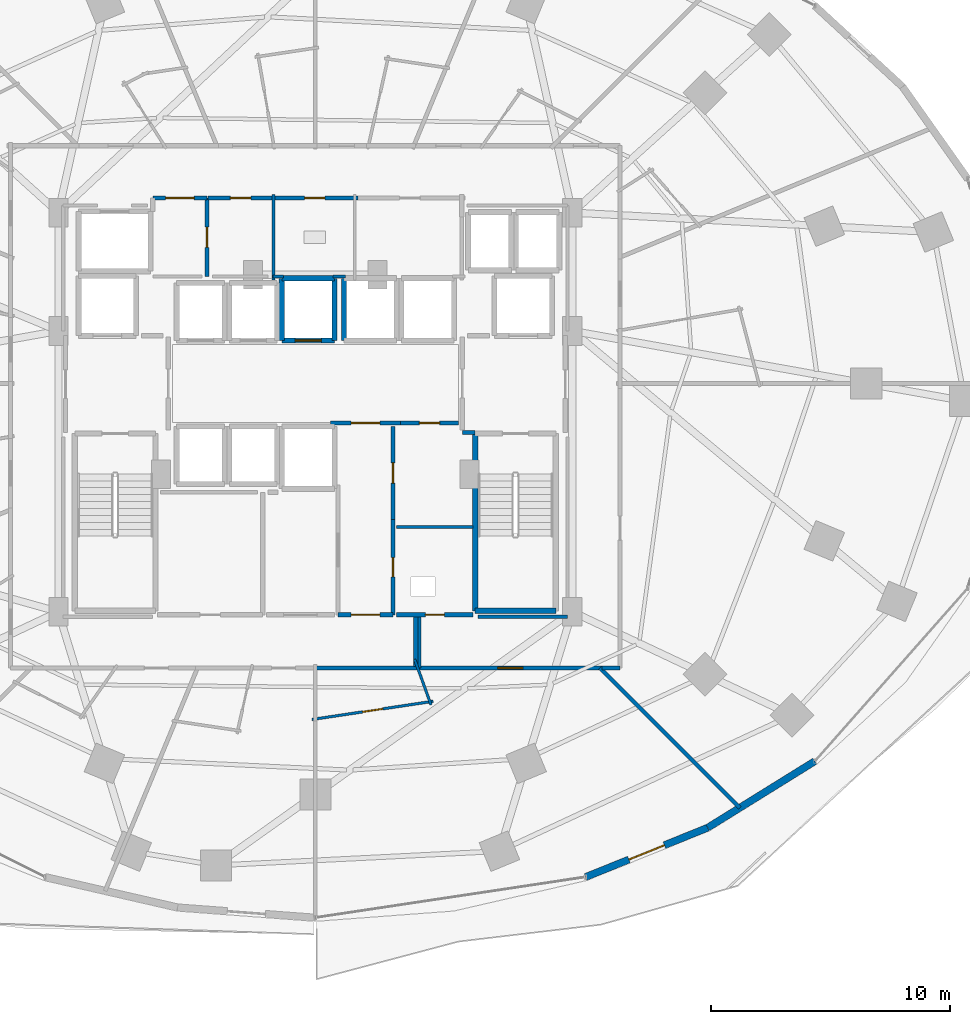
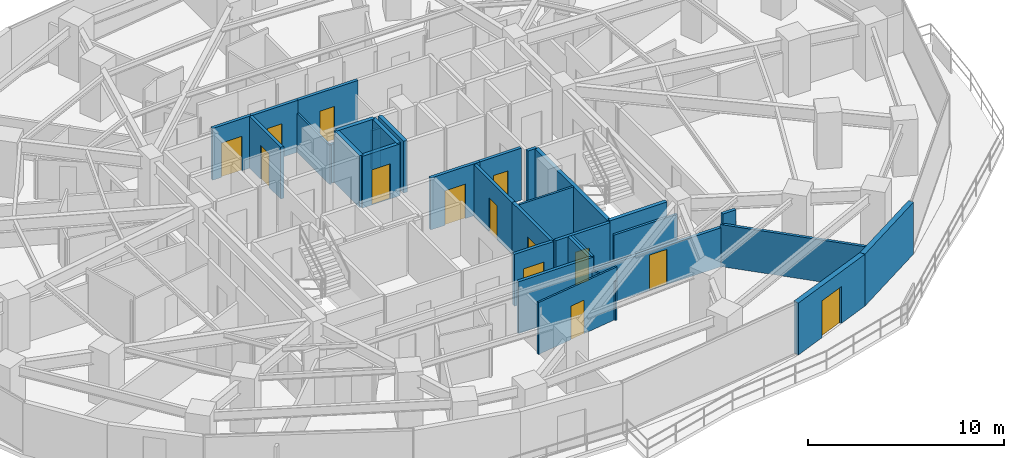
# One storey, part 29 of 36: 33 walls, 14 doors, 14 openings.
"""IFC4 building model written with IfcOpenShell, lengths in metres."""

from ifc_helpers import new_model, si_unit, direction, frame, frame_2d, origin, place, context, subcontext, project, spatial, rectangle, extrude, material, layer, layer_set, type_object, element, fill, save


model = new_model("IFC4")

# Units and contexts
model_context = context("Model", 3, precision=1e-05, world=origin(), true_north=direction((0.0, 1.0)))
body_context = subcontext(model_context, "Body", "Model", "MODEL_VIEW")
ifc_project = project(units=[si_unit("LENGTHUNIT", "METRE"), si_unit("AREAUNIT", "SQUARE_METRE"), si_unit("VOLUMEUNIT", "CUBIC_METRE"), si_unit("PLANEANGLEUNIT", "RADIAN"), si_unit("MASSUNIT", "GRAM", prefix="KILO")], contexts=[model_context])

# Site, building, storey
site_placement = place(None, origin())
site = spatial("IfcSite", under=ifc_project, at=site_placement, CompositionType="ELEMENT")
building_placement = place(site_placement, origin())
building = spatial("IfcBuilding", under=site, at=building_placement, Name="Vorneva Point Tower", CompositionType="ELEMENT")
storey_placement = place(building_placement, frame((0.0, 0.0, 24.0)))
storey = spatial("IfcBuildingStorey", under=building, at=storey_placement, Name="L05", CompositionType="ELEMENT", Elevation=24.0)

# Wall, opening, door
ifc_material_1 = material(Name="Precast concrete B50 (C40/50)", Category="concrete")
ifc_layer_1 = layer(ifc_material_1, 0.300048828125)
ifc_layer_set_1 = layer_set([ifc_layer_1], Name="Precast concrete B50 (C40/50)")
wall_type_1 = type_object("IfcWallType", Name="WL-EXT-300", PredefinedType="STANDARD", material=ifc_layer_set_1)
wall_1_placement = place(storey_placement, frame((49.308349609375, 5.351318359375, 0.0), z_axis=(0.0, 0.0, 1.0), x_axis=(0.927095325176, 0.374825636845, 0.0)))
wall_1 = element("IfcWall", 1, at=wall_1_placement, inside=storey, type_object=wall_type_1, Name="L05 Pale-Metal Facade Spandrel Wall 14.1", PredefinedType="STANDARD", context=body_context, shape_type="SweptSolid", body=[
    extrude(rectangle(XDim=5.51025390625, YDim=0.300048828125, at=frame_2d((2.755126953125, 0.0))), origin(), (0.0, 0.0, 1.0), 3.239990234375),
])
opening_1_placement = place(wall_1_placement, frame((1.955322265625, 0.0, 0.0)))
opening_1 = element("IfcOpeningElement", 2, at=opening_1_placement, cuts=wall_1, Name="Opening BD-01", PredefinedType="OPENING", context=body_context, shape_type="SweptSolid", body=[
    extrude(rectangle(XDim=1.60009765625, YDim=2.300048828125, at=frame_2d((0.800048828125, 1.14990234375))), frame((0.0, 0.1650390625, 0.0), z_axis=(0.0, -1.0, 0.0), x_axis=(1.0, 0.0, 0.0)), (0.0, 0.0, 1.0), 0.329833984375),
])
ifc_material_2 = material(Name="Pale anodised aluminium", Category="aluminium")
door_type_1 = type_object("IfcDoorType", Name="DR-BAL-1600", OperationType="SLIDING_TO_LEFT", PredefinedType="DOOR", material=ifc_material_2)
door_1_placement = place(opening_1_placement, origin())
door_1 = element("IfcDoor", 3, at=door_1_placement, inside=storey, type_object=door_type_1, Name="L05 Balcony Terrace Access Door 14", OperationType="SLIDING_TO_LEFT", OverallHeight=2.300048828125, OverallWidth=1.60009765625, PredefinedType="DOOR", context=body_context, shape_type="SweptSolid", body=[
    extrude(rectangle(XDim=1.60009765625, YDim=2.300048828125, at=frame_2d((0.800048828125, 1.14990234375))), frame((0.0, 0.02490234375, 0.0), z_axis=(0.0, -1.0, 0.0), x_axis=(1.0, 0.0, 0.0)), (0.0, 0.0, 1.0), 0.050048828125),
])
fill(opening_1, door_1)

# Walls
wall_2_placement = place(storey_placement, frame((54.4169921875, 7.416748046875, 0.0), z_axis=(0.0, 0.0, 1.0), x_axis=(0.849633724826, 0.527373239404, 0.0)))
element("IfcWall", 4, at=wall_2_placement, inside=storey, type_object=wall_type_1, Name="L05 Pale-Metal Facade Spandrel Wall 14.2", PredefinedType="STANDARD", context=body_context, shape_type="SweptSolid", body=[
    extrude(rectangle(XDim=5.2705078125, YDim=0.300048828125, at=frame_2d((2.63525390625, 0.0))), origin(), (0.0, 0.0, 1.0), 3.239990234375),
])
ifc_material_3 = material(Name="Fire-rated acoustic gypsum stud partition", Category="gypsum")
ifc_layer_2 = layer(ifc_material_3, 0.110107421875)
ifc_layer_set_2 = layer_set([ifc_layer_2], Name="Fire-rated acoustic gypsum stud partition")
wall_type_2 = type_object("IfcWallType", Name="WL-PART-110", PredefinedType="PARTITIONING", material=ifc_layer_set_2)
wall_3_placement = place(storey_placement, frame((36.25, 30.340087890625, 0.0), z_axis=(0.0, 0.0, 1.0), x_axis=(0.0, 1.0, 0.0)))
element("IfcWall", 5, at=wall_3_placement, inside=storey, type_object=wall_type_2, Name="L05 Interior Partition 017", PredefinedType="PARTITIONING", context=body_context, shape_type="SweptSolid", body=[
    extrude(rectangle(XDim=3.559814453125, YDim=0.110107421875, at=frame_2d((1.77978515625, 0.0))), origin(), (0.0, 0.0, 1.0), 2.431884765625),
])

# Wall, opening, door
wall_4_placement = place(storey_placement, frame((42.932373046875, 12.705810546875, 0.0), z_axis=(0.0, 0.0, 1.0), x_axis=(-0.988876905643, -0.148736227888, 0.0)))
wall_4 = element("IfcWall", 6, at=wall_4_placement, inside=storey, type_object=wall_type_2, Name="L05 Interior Partition 106", PredefinedType="PARTITIONING", context=body_context, shape_type="SweptSolid", body=[
    extrude(rectangle(XDim=5.1279296875, YDim=0.110107421875, at=frame_2d((2.56396484375, 0.0))), origin(), (0.0, 0.0, 1.0), 3.239990234375),
])
opening_2_placement = place(wall_4_placement, frame((2.138916015625, 0.0, 0.0)))
opening_2 = element("IfcOpeningElement", 7, at=opening_2_placement, cuts=wall_4, Name="Opening ID-02", PredefinedType="OPENING", context=body_context, shape_type="SweptSolid", body=[
    extrude(rectangle(XDim=0.85009765625, YDim=2.10009765625, at=frame_2d((0.425048828125, 1.050048828125))), frame((0.0, 0.06982421875, 0.0), z_axis=(0.0, -1.0, 0.0), x_axis=(1.0, 0.0, 0.0)), (0.0, 0.0, 1.0), 0.139892578125),
])
ifc_material_4 = material(Name="Engineered oak fire-rated door leaf", Category="wood")
door_type_2 = type_object("IfcDoorType", Name="DR-BATH-850", OperationType="NOTDEFINED", PredefinedType="DOOR", material=ifc_material_4)
door_2_placement = place(opening_2_placement, origin())
door_2 = element("IfcDoor", 8, at=door_2_placement, inside=storey, type_object=door_type_2, Name="L05 Door Junior Suite L05-13 / En-Suite Bathroom L05-13", OperationType="SINGLE_SWING_LEFT", OverallHeight=2.10009765625, OverallWidth=0.85009765625, PredefinedType="DOOR", context=body_context, shape_type="SweptSolid", body=[
    extrude(rectangle(XDim=0.85009765625, YDim=2.10009765625, at=frame_2d((0.425048828125, 1.050048828125))), frame((0.0, 0.02490234375, 0.0), z_axis=(0.0, -1.0, 0.0), x_axis=(1.0, 0.0, 0.0)), (0.0, 0.0, 1.0), 0.050048828125),
])
fill(opening_2, door_2)

# Walls
wall_5_placement = place(storey_placement, frame((42.152587890625, 14.4658203125, 0.0), z_axis=(0.0, 0.0, 1.0), x_axis=(0.338800270412, -0.940858319179, 0.0)))
element("IfcWall", 9, at=wall_5_placement, inside=storey, type_object=wall_type_2, Name="L05 Interior Partition 107", PredefinedType="PARTITIONING", context=body_context, shape_type="SweptSolid", body=[
    extrude(rectangle(XDim=2.03271484375, YDim=0.110107421875, at=frame_2d((1.016357421875, 0.0))), origin(), (0.0, 0.0, 1.0), 2.431884765625),
])
ifc_layer_3 = layer(ifc_material_3, 0.125)
ifc_layer_set_3 = layer_set([ifc_layer_3], Name="Fire-rated acoustic gypsum stud partition")
wall_type_3 = type_object("IfcWallType", Name="WL-PART-125", PredefinedType="PARTITIONING", material=ifc_layer_set_3)
wall_6_placement = place(storey_placement, frame((44.60009765625, 20.0, 0.0), z_axis=(0.0, 0.0, 1.0), x_axis=(-1.0, 0.0, 0.0)))
element("IfcWall", 10, at=wall_6_placement, inside=storey, type_object=wall_type_3, Name="L05 Interior Partition 015", PredefinedType="PARTITIONING", context=body_context, shape_type="SweptSolid", body=[
    extrude(rectangle(XDim=3.2001953125, YDim=0.125, at=frame_2d((1.60009765625, 0.0))), origin(), (0.0, 0.0, 1.0), 3.239990234375),
])
ifc_layer_4 = layer(ifc_material_3, 0.139892578125)
ifc_layer_set_4 = layer_set([ifc_layer_4], Name="Fire-rated acoustic gypsum stud partition")
wall_type_4 = type_object("IfcWallType", Name="WL-PART-140", PredefinedType="PARTITIONING", material=ifc_layer_set_4)
wall_7_placement = place(storey_placement, frame((36.219970703125, 30.47998046875, 0.0), z_axis=(0.0, 0.0, 1.0), x_axis=(1.0, 0.0, 0.0)))
element("IfcWall", 11, at=wall_7_placement, inside=storey, type_object=wall_type_4, Name="L05 Interior Closure Partition 113", PredefinedType="PARTITIONING", context=body_context, shape_type="SweptSolid", body=[
    extrude(rectangle(XDim=0.445068359375, YDim=0.139892578125, at=frame_2d((0.22265625, 0.0))), origin(), (0.0, 0.0, 1.0), 2.431884765625),
])
wall_8_placement = place(storey_placement, frame((38.735107421875, 30.47998046875, 0.0), z_axis=(0.0, 0.0, 1.0), x_axis=(1.0, 0.0, 0.0)))
element("IfcWall", 12, at=wall_8_placement, inside=storey, type_object=wall_type_4, Name="L05 Interior Closure Partition 114", PredefinedType="PARTITIONING", context=body_context, shape_type="SweptSolid", body=[
    extrude(rectangle(XDim=0.52978515625, YDim=0.139892578125, at=frame_2d((0.264892578125, 0.0))), origin(), (0.0, 0.0, 1.0), 2.431884765625),
])
wall_9_placement = place(storey_placement, frame((48.550048828125, 16.239990234375, 0.0), z_axis=(0.0, 0.0, 1.0), x_axis=(-1.0, 0.0, 0.0)))
element("IfcWall", 13, at=wall_9_placement, inside=storey, type_object=wall_type_4, Name="L05 Interior Closure Partition 122", PredefinedType="PARTITIONING", context=body_context, shape_type="SweptSolid", body=[
    extrude(rectangle(XDim=3.7451171875, YDim=0.139892578125, at=frame_2d((1.87255859375, 0.0))), origin(), (0.0, 0.0, 1.0), 2.431884765625),
])
ifc_layer_5 = layer(ifc_material_3, 0.159912109375)
ifc_layer_set_5 = layer_set([ifc_layer_5], Name="Fire-rated acoustic gypsum stud partition")
wall_type_5 = type_object("IfcWallType", Name="WL-PART-160", PredefinedType="PARTITIONING", material=ifc_layer_set_5)
wall_10_placement = place(storey_placement, frame((55.7529296875, 8.2470703125, 0.0), z_axis=(0.0, 0.0, 1.0), x_axis=(-0.707106781187, 0.707106781187, 0.0)))
element("IfcWall", 14, at=wall_10_placement, inside=storey, type_object=wall_type_5, Name="L05 Interior Partition 108", PredefinedType="PARTITIONING", context=body_context, shape_type="SweptSolid", body=[
    extrude(rectangle(XDim=8.27734375, YDim=0.159912109375, at=frame_2d((4.138671875, 0.0))), origin(), (0.0, 0.0, 1.0), 2.6240234375),
])
ifc_material_5 = material(Name="Autoclaved aerated concrete blockwork", Category="masonry")
ifc_layer_6 = layer(ifc_material_5, 0.179931640625)
ifc_layer_set_6 = layer_set([ifc_layer_6], Name="Autoclaved aerated concrete blockwork")
wall_type_6 = type_object("IfcWallType", Name="WL-PART-180", PredefinedType="PARTITIONING", material=ifc_layer_set_6)
wall_11_placement = place(storey_placement, frame((44.14990234375, 23.949951171875, 0.0), z_axis=(0.0, 0.0, 1.0), x_axis=(1.0, 0.0, 0.0)))
element("IfcWall", 15, at=wall_11_placement, inside=storey, type_object=wall_type_6, Name="L05 Interior Partition 004", PredefinedType="PARTITIONING", context=body_context, shape_type="SweptSolid", body=[
    extrude(rectangle(XDim=0.5400390625, YDim=0.179931640625, at=frame_2d((0.27001953125, 0.0))), origin(), (0.0, 0.0, 1.0), 3.239990234375),
])

# Wall, opening, door
wall_12_placement = place(storey_placement, frame((33.469970703125, 30.47998046875, 0.0), z_axis=(0.0, 0.0, 1.0), x_axis=(0.0, 1.0, 0.0)))
wall_12 = element("IfcWall", 16, at=wall_12_placement, inside=storey, type_object=wall_type_6, Name="L05 Interior Partition 006", PredefinedType="PARTITIONING", context=body_context, shape_type="SweptSolid", body=[
    extrude(rectangle(XDim=3.280029296875, YDim=0.179931640625, at=frame_2d((1.64013671875, 0.0))), origin(), (0.0, 0.0, 1.0), 3.239990234375),
])
opening_3_placement = place(wall_12_placement, frame((1.215087890625, 0.0, 0.0)))
opening_3 = element("IfcOpeningElement", 17, at=opening_3_placement, cuts=wall_12, Name="Opening ID-02", PredefinedType="OPENING", context=body_context, shape_type="SweptSolid", body=[
    extrude(rectangle(XDim=0.85009765625, YDim=2.10009765625, at=frame_2d((0.425048828125, 1.050048828125))), frame((0.0, 0.10498046875, 0.0), z_axis=(0.0, -1.0, 0.0), x_axis=(1.0, 0.0, 0.0)), (0.0, 0.0, 1.0), 0.209716796875),
])
door_3_placement = place(opening_3_placement, origin())
door_3 = element("IfcDoor", 18, at=door_3_placement, inside=storey, type_object=door_type_2, Name="L05 Door Service Lift Lobby / Core Supply Store", OperationType="SINGLE_SWING_LEFT", OverallHeight=2.10009765625, OverallWidth=0.85009765625, PredefinedType="DOOR", context=body_context, shape_type="SweptSolid", body=[
    extrude(rectangle(XDim=0.85009765625, YDim=2.10009765625, at=frame_2d((0.425048828125, 1.050048828125))), frame((0.0, 0.02490234375, 0.0), z_axis=(0.0, -1.0, 0.0), x_axis=(1.0, 0.0, 0.0)), (0.0, 0.0, 1.0), 0.050048828125),
])
fill(opening_3, door_3)

wall_13_placement = place(storey_placement, frame((33.469970703125, 33.760009765625, 0.0), z_axis=(0.0, 0.0, 1.0), x_axis=(-1.0, 0.0, 0.0)))
wall_13 = element("IfcWall", 19, at=wall_13_placement, inside=storey, type_object=wall_type_6, Name="L05 Interior Partition 007", PredefinedType="PARTITIONING", context=body_context, shape_type="SweptSolid", body=[
    extrude(rectangle(XDim=2.27001953125, YDim=0.179931640625, at=frame_2d((1.135009765625, 0.0))), origin(), (0.0, 0.0, 1.0), 3.239990234375),
])
opening_4_placement = place(wall_13_placement, frame((0.534912109375, 0.0, 0.0)))
opening_4 = element("IfcOpeningElement", 20, at=opening_4_placement, cuts=wall_13, Name="Opening FD-02", PredefinedType="OPENING", context=body_context, shape_type="SweptSolid", body=[
    extrude(rectangle(XDim=1.199951171875, YDim=2.14990234375, at=frame_2d((0.60009765625, 1.074951171875))), frame((0.0, 0.10498046875, 0.0), z_axis=(0.0, -1.0, 0.0), x_axis=(1.0, 0.0, 0.0)), (0.0, 0.0, 1.0), 0.209716796875),
])
ifc_material_6 = material(Name="Fire-rated powder-coated steel", Category="steel")
door_type_3 = type_object("IfcDoorType", Name="DR-FFL-1200", OperationType="NOTDEFINED", PredefinedType="DOOR", material=ifc_material_6)
door_4_placement = place(opening_4_placement, origin())
door_4 = element("IfcDoor", 21, at=door_4_placement, inside=storey, type_object=door_type_3, Name="L05 Door Service Lift Lobby / L05 Circulation Corridor", OperationType="SINGLE_SWING_RIGHT", OverallHeight=2.14990234375, OverallWidth=1.199951171875, PredefinedType="DOOR", context=body_context, shape_type="SweptSolid", body=[
    extrude(rectangle(XDim=1.199951171875, YDim=2.14990234375, at=frame_2d((0.60009765625, 1.074951171875))), frame((0.0, 0.02490234375, 0.0), z_axis=(0.0, -1.0, 0.0), x_axis=(1.0, 0.0, 0.0)), (0.0, 0.0, 1.0), 0.050048828125),
])
fill(opening_4, door_4)

wall_14_placement = place(storey_placement, frame((38.64501953125, 24.35009765625, 0.0), z_axis=(0.0, 0.0, 1.0), x_axis=(1.0, 0.0, 0.0)))
wall_14 = element("IfcWall", 22, at=wall_14_placement, inside=storey, type_object=wall_type_6, Name="L05 Interior Partition 009", PredefinedType="PARTITIONING", context=body_context, shape_type="SweptSolid", body=[
    extrude(rectangle(XDim=2.909912109375, YDim=0.179931640625, at=frame_2d((1.455078125, 0.0))), origin(), (0.0, 0.0, 1.0), 3.239990234375),
])
opening_5_placement = place(wall_14_placement, frame((0.85498046875, 0.0, 0.0)))
opening_5 = element("IfcOpeningElement", 23, at=opening_5_placement, cuts=wall_14, Name="Opening FD-02", PredefinedType="OPENING", context=body_context, shape_type="SweptSolid", body=[
    extrude(rectangle(XDim=1.199951171875, YDim=2.14990234375, at=frame_2d((0.60009765625, 1.074951171875))), frame((0.0, 0.10498046875, 0.0), z_axis=(0.0, -1.0, 0.0), x_axis=(1.0, 0.0, 0.0)), (0.0, 0.0, 1.0), 0.209716796875),
])
door_5_placement = place(opening_5_placement, origin())
door_5 = element("IfcDoor", 24, at=door_5_placement, inside=storey, type_object=door_type_3, Name="L05 Door Central Lift Lobby / Core Service Lobby", OperationType="SINGLE_SWING_LEFT", OverallHeight=2.14990234375, OverallWidth=1.199951171875, PredefinedType="DOOR", context=body_context, shape_type="SweptSolid", body=[
    extrude(rectangle(XDim=1.199951171875, YDim=2.14990234375, at=frame_2d((0.60009765625, 1.074951171875))), frame((0.0, 0.02490234375, 0.0), z_axis=(0.0, -1.0, 0.0), x_axis=(1.0, 0.0, 0.0)), (0.0, 0.0, 1.0), 0.050048828125),
])
fill(opening_5, door_5)

wall_15_placement = place(storey_placement, frame((41.554931640625, 24.35009765625, 0.0), z_axis=(0.0, 0.0, 1.0), x_axis=(1.0, 0.0, 0.0)))
wall_15 = element("IfcWall", 25, at=wall_15_placement, inside=storey, type_object=wall_type_6, Name="L05 Interior Partition 010", PredefinedType="PARTITIONING", context=body_context, shape_type="SweptSolid", body=[
    extrude(rectangle(XDim=2.445068359375, YDim=0.179931640625, at=frame_2d((1.22265625, 0.0))), origin(), (0.0, 0.0, 1.0), 3.239990234375),
])
opening_6_placement = place(wall_15_placement, frame((0.797607421875, 0.0, 0.0)))
opening_6 = element("IfcOpeningElement", 26, at=opening_6_placement, cuts=wall_15, Name="Opening ID-02", PredefinedType="OPENING", context=body_context, shape_type="SweptSolid", body=[
    extrude(rectangle(XDim=0.85009765625, YDim=2.10009765625, at=frame_2d((0.425048828125, 1.050048828125))), frame((0.0, 0.10498046875, 0.0), z_axis=(0.0, -1.0, 0.0), x_axis=(1.0, 0.0, 0.0)), (0.0, 0.0, 1.0), 0.209716796875),
])
door_6_placement = place(opening_6_placement, origin())
door_6 = element("IfcDoor", 27, at=door_6_placement, inside=storey, type_object=door_type_2, Name="L05 Door Central Lift Lobby / Valet and Parcel Room", OperationType="SINGLE_SWING_RIGHT", OverallHeight=2.10009765625, OverallWidth=0.85009765625, PredefinedType="DOOR", context=body_context, shape_type="SweptSolid", body=[
    extrude(rectangle(XDim=0.85009765625, YDim=2.10009765625, at=frame_2d((0.425048828125, 1.050048828125))), frame((0.0, 0.02490234375, 0.0), z_axis=(0.0, -1.0, 0.0), x_axis=(1.0, 0.0, 0.0)), (0.0, 0.0, 1.0), 0.050048828125),
])
fill(opening_6, door_6)

wall_16_placement = place(storey_placement, frame((41.25, 16.320068359375, 0.0), z_axis=(0.0, 0.0, 1.0), x_axis=(0.0, 1.0, 0.0)))
wall_16 = element("IfcWall", 28, at=wall_16_placement, inside=storey, type_object=wall_type_6, Name="L05 Interior Partition 011", PredefinedType="PARTITIONING", context=body_context, shape_type="SweptSolid", body=[
    extrude(rectangle(XDim=3.98486328125, YDim=0.179931640625, at=frame_2d((1.992431640625, 0.0))), origin(), (0.0, 0.0, 1.0), 3.239990234375),
])
opening_7_placement = place(wall_16_placement, frame((1.592529296875, 0.0, 0.0)))
opening_7 = element("IfcOpeningElement", 29, at=opening_7_placement, cuts=wall_16, Name="Opening RD-01", PredefinedType="OPENING", context=body_context, shape_type="SweptSolid", body=[
    extrude(rectangle(XDim=0.800048828125, YDim=2.050048828125, at=frame_2d((0.39990234375, 1.02490234375))), frame((0.0, 0.10498046875, 0.0), z_axis=(0.0, -1.0, 0.0), x_axis=(1.0, 0.0, 0.0)), (0.0, 0.0, 1.0), 0.209716796875),
])
door_type_4 = type_object("IfcDoorType", Name="DR-RSR-800", OperationType="SINGLE_SWING_LEFT", PredefinedType="DOOR", material=ifc_material_6)
door_7_placement = place(opening_7_placement, origin())
door_7 = element("IfcDoor", 30, at=door_7_placement, inside=storey, type_object=door_type_4, Name="L05 Door Core Service Lobby / Electrical Riser", OperationType="SINGLE_SWING_LEFT", OverallHeight=2.050048828125, OverallWidth=0.800048828125, PredefinedType="DOOR", context=body_context, shape_type="SweptSolid", body=[
    extrude(rectangle(XDim=0.800048828125, YDim=2.050048828125, at=frame_2d((0.39990234375, 1.02490234375))), frame((0.0, 0.02490234375, 0.0), z_axis=(0.0, -1.0, 0.0), x_axis=(1.0, 0.0, 0.0)), (0.0, 0.0, 1.0), 0.050048828125),
])
fill(opening_7, door_7)

wall_17_placement = place(storey_placement, frame((41.25, 20.304931640625, 0.0), z_axis=(0.0, 0.0, 1.0), x_axis=(0.0, 1.0, 0.0)))
wall_17 = element("IfcWall", 31, at=wall_17_placement, inside=storey, type_object=wall_type_6, Name="L05 Interior Partition 012", PredefinedType="PARTITIONING", context=body_context, shape_type="SweptSolid", body=[
    extrude(rectangle(XDim=3.89501953125, YDim=0.179931640625, at=frame_2d((1.947509765625, 0.0))), origin(), (0.0, 0.0, 1.0), 3.239990234375),
])
opening_8_placement = place(wall_17_placement, frame((1.5224609375, 0.0, 0.0)))
opening_8 = element("IfcOpeningElement", 32, at=opening_8_placement, cuts=wall_17, Name="Opening ID-02", PredefinedType="OPENING", context=body_context, shape_type="SweptSolid", body=[
    extrude(rectangle(XDim=0.85009765625, YDim=2.10009765625, at=frame_2d((0.425048828125, 1.050048828125))), frame((0.0, 0.10498046875, 0.0), z_axis=(0.0, -1.0, 0.0), x_axis=(1.0, 0.0, 0.0)), (0.0, 0.0, 1.0), 0.209716796875),
])
door_8_placement = place(opening_8_placement, origin())
door_8 = element("IfcDoor", 33, at=door_8_placement, inside=storey, type_object=door_type_2, Name="L05 Door Core Service Lobby / Valet and Parcel Room", OperationType="SINGLE_SWING_RIGHT", OverallHeight=2.10009765625, OverallWidth=0.85009765625, PredefinedType="DOOR", context=body_context, shape_type="SweptSolid", body=[
    extrude(rectangle(XDim=0.85009765625, YDim=2.10009765625, at=frame_2d((0.425048828125, 1.050048828125))), frame((0.0, 0.02490234375, 0.0), z_axis=(0.0, -1.0, 0.0), x_axis=(1.0, 0.0, 0.0)), (0.0, 0.0, 1.0), 0.050048828125),
])
fill(opening_8, door_8)

wall_18_placement = place(storey_placement, frame((38.949951171875, 16.320068359375, 0.0), z_axis=(0.0, 0.0, 1.0), x_axis=(1.0, 0.0, 0.0)))
wall_18 = element("IfcWall", 34, at=wall_18_placement, inside=storey, type_object=wall_type_6, Name="L05 Interior Partition 014", PredefinedType="PARTITIONING", context=body_context, shape_type="SweptSolid", body=[
    extrude(rectangle(XDim=2.300048828125, YDim=0.179931640625, at=frame_2d((1.14990234375, 0.0))), origin(), (0.0, 0.0, 1.0), 3.239990234375),
])
opening_9_placement = place(wall_18_placement, frame((0.550048828125, 0.0, 0.0)))
opening_9 = element("IfcOpeningElement", 35, at=opening_9_placement, cuts=wall_18, Name="Opening FD-02", PredefinedType="OPENING", context=body_context, shape_type="SweptSolid", body=[
    extrude(rectangle(XDim=1.199951171875, YDim=2.14990234375, at=frame_2d((0.60009765625, 1.074951171875))), frame((0.0, 0.10498046875, 0.0), z_axis=(0.0, -1.0, 0.0), x_axis=(1.0, 0.0, 0.0)), (0.0, 0.0, 1.0), 0.209716796875),
])
door_9_placement = place(opening_9_placement, origin())
door_9 = element("IfcDoor", 36, at=door_9_placement, inside=storey, type_object=door_type_3, Name="L05 Door Core Service Lobby / L05 Circulation Corridor", OperationType="SINGLE_SWING_RIGHT", OverallHeight=2.14990234375, OverallWidth=1.199951171875, PredefinedType="DOOR", context=body_context, shape_type="SweptSolid", body=[
    extrude(rectangle(XDim=1.199951171875, YDim=2.14990234375, at=frame_2d((0.60009765625, 1.074951171875))), frame((0.0, 0.02490234375, 0.0), z_axis=(0.0, -1.0, 0.0), x_axis=(1.0, 0.0, 0.0)), (0.0, 0.0, 1.0), 0.050048828125),
])
fill(opening_9, door_9)

wall_19_placement = place(storey_placement, frame((41.39990234375, 16.320068359375, 0.0), z_axis=(0.0, 0.0, 1.0), x_axis=(1.0, 0.0, 0.0)))
wall_19 = element("IfcWall", 37, at=wall_19_placement, inside=storey, type_object=wall_type_6, Name="L05 Interior Partition 016", PredefinedType="PARTITIONING", context=body_context, shape_type="SweptSolid", body=[
    extrude(rectangle(XDim=3.2001953125, YDim=0.179931640625, at=frame_2d((1.60009765625, 0.0))), origin(), (0.0, 0.0, 1.0), 3.239990234375),
])
opening_10_placement = place(wall_19_placement, frame((1.199951171875, 0.0, 0.0)))
opening_10 = element("IfcOpeningElement", 38, at=opening_10_placement, cuts=wall_19, Name="Opening RD-01", PredefinedType="OPENING", context=body_context, shape_type="SweptSolid", body=[
    extrude(rectangle(XDim=0.800048828125, YDim=2.050048828125, at=frame_2d((0.39990234375, 1.02490234375))), frame((0.0, 0.10498046875, 0.0), z_axis=(0.0, -1.0, 0.0), x_axis=(1.0, 0.0, 0.0)), (0.0, 0.0, 1.0), 0.209716796875),
])
door_10_placement = place(opening_10_placement, origin())
door_10 = element("IfcDoor", 39, at=door_10_placement, inside=storey, type_object=door_type_4, Name="L05 Door Electrical Riser / L05 Circulation Corridor", OperationType="SINGLE_SWING_LEFT", OverallHeight=2.050048828125, OverallWidth=0.800048828125, PredefinedType="DOOR", context=body_context, shape_type="SweptSolid", body=[
    extrude(rectangle(XDim=0.800048828125, YDim=2.050048828125, at=frame_2d((0.39990234375, 1.02490234375))), frame((0.0, 0.02490234375, 0.0), z_axis=(0.0, -1.0, 0.0), x_axis=(1.0, 0.0, 0.0)), (0.0, 0.0, 1.0), 0.050048828125),
])
fill(opening_10, door_10)

wall_20_placement = place(storey_placement, frame((36.25, 33.760009765625, 0.0), z_axis=(0.0, 0.0, 1.0), x_axis=(-1.0, 0.0, 0.0)))
wall_20 = element("IfcWall", 40, at=wall_20_placement, inside=storey, type_object=wall_type_6, Name="L05 Interior Partition 018", PredefinedType="PARTITIONING", context=body_context, shape_type="SweptSolid", body=[
    extrude(rectangle(XDim=2.75, YDim=0.179931640625, at=frame_2d((1.375, 0.0))), origin(), (0.0, 0.0, 1.0), 3.239990234375),
])
opening_11_placement = place(wall_20_placement, frame((0.949951171875, 0.0, 0.0)))
opening_11 = element("IfcOpeningElement", 41, at=opening_11_placement, cuts=wall_20, Name="Opening ID-02", PredefinedType="OPENING", context=body_context, shape_type="SweptSolid", body=[
    extrude(rectangle(XDim=0.85009765625, YDim=2.10009765625, at=frame_2d((0.425048828125, 1.050048828125))), frame((0.0, 0.10498046875, 0.0), z_axis=(0.0, -1.0, 0.0), x_axis=(1.0, 0.0, 0.0)), (0.0, 0.0, 1.0), 0.209716796875),
])
door_11_placement = place(opening_11_placement, origin())
door_11 = element("IfcDoor", 42, at=door_11_placement, inside=storey, type_object=door_type_2, Name="L05 Door Core Supply Store / L05 Circulation Corridor", OperationType="SINGLE_SWING_RIGHT", OverallHeight=2.10009765625, OverallWidth=0.85009765625, PredefinedType="DOOR", context=body_context, shape_type="SweptSolid", body=[
    extrude(rectangle(XDim=0.85009765625, YDim=2.10009765625, at=frame_2d((0.425048828125, 1.050048828125))), frame((0.0, 0.02490234375, 0.0), z_axis=(0.0, -1.0, 0.0), x_axis=(1.0, 0.0, 0.0)), (0.0, 0.0, 1.0), 0.050048828125),
])
fill(opening_11, door_11)

wall_21_placement = place(storey_placement, frame((39.7900390625, 33.760009765625, 0.0), z_axis=(0.0, 0.0, 1.0), x_axis=(-1.0, 0.0, 0.0)))
wall_21 = element("IfcWall", 43, at=wall_21_placement, inside=storey, type_object=wall_type_6, Name="L05 Interior Partition 020", PredefinedType="PARTITIONING", context=body_context, shape_type="SweptSolid", body=[
    extrude(rectangle(XDim=3.630126953125, YDim=0.179931640625, at=frame_2d((1.81494140625, 0.0))), origin(), (0.0, 0.0, 1.0), 3.239990234375),
])
opening_12_placement = place(wall_21_placement, frame((1.389892578125, 0.0, 0.0)))
opening_12 = element("IfcOpeningElement", 44, at=opening_12_placement, cuts=wall_21, Name="Opening ID-02", PredefinedType="OPENING", context=body_context, shape_type="SweptSolid", body=[
    extrude(rectangle(XDim=0.85009765625, YDim=2.10009765625, at=frame_2d((0.425048828125, 1.050048828125))), frame((0.0, 0.10498046875, 0.0), z_axis=(0.0, -1.0, 0.0), x_axis=(1.0, 0.0, 0.0)), (0.0, 0.0, 1.0), 0.209716796875),
])
door_12_placement = place(opening_12_placement, origin())
door_12 = element("IfcDoor", 45, at=door_12_placement, inside=storey, type_object=door_type_2, Name="L05 Door Accessible WC / L05 Circulation Corridor", OperationType="SINGLE_SWING_LEFT", OverallHeight=2.10009765625, OverallWidth=0.85009765625, PredefinedType="DOOR", context=body_context, shape_type="SweptSolid", body=[
    extrude(rectangle(XDim=0.85009765625, YDim=2.10009765625, at=frame_2d((0.425048828125, 1.050048828125))), frame((0.0, 0.02490234375, 0.0), z_axis=(0.0, -1.0, 0.0), x_axis=(1.0, 0.0, 0.0)), (0.0, 0.0, 1.0), 0.050048828125),
])
fill(opening_12, door_12)

# Wall
wall_22_placement = place(storey_placement, frame((42.340087890625, 16.239990234375, 0.0), z_axis=(0.0, 0.0, 1.0), x_axis=(0.0, -1.0, 0.0)))
element("IfcWall", 46, at=wall_22_placement, inside=storey, type_object=wall_type_6, Name="L05 Interior Partition 053", PredefinedType="PARTITIONING", context=body_context, shape_type="SweptSolid", body=[
    extrude(rectangle(XDim=2.139892578125, YDim=0.179931640625, at=frame_2d((1.06982421875, 0.0))), origin(), (0.0, 0.0, 1.0), 3.239990234375),
])

# Wall, opening, door
wall_23_placement = place(storey_placement, frame((42.340087890625, 14.10009765625, 0.0), z_axis=(0.0, 0.0, 1.0), x_axis=(1.0, 0.0, 0.0)))
wall_23 = element("IfcWall", 47, at=wall_23_placement, inside=storey, type_object=wall_type_6, Name="L05 Interior Partition 054", PredefinedType="PARTITIONING", context=body_context, shape_type="SweptSolid", body=[
    extrude(rectangle(XDim=7.64501953125, YDim=0.179931640625, at=frame_2d((3.822509765625, 0.0))), origin(), (0.0, 0.0, 1.0), 2.431884765625),
])
opening_13_placement = place(wall_23_placement, frame((3.297607421875, 0.0, 0.0)))
opening_13 = element("IfcOpeningElement", 48, at=opening_13_placement, cuts=wall_23, Name="Opening UD-02", PredefinedType="OPENING", context=body_context, shape_type="SweptSolid", body=[
    extrude(rectangle(XDim=1.050048828125, YDim=2.199951171875, at=frame_2d((0.52490234375, 1.10009765625))), frame((0.0, 0.10498046875, 0.0), z_axis=(0.0, -1.0, 0.0), x_axis=(1.0, 0.0, 0.0)), (0.0, 0.0, 1.0), 0.209716796875),
])
door_type_5 = type_object("IfcDoorType", Name="DR-SUITE-1050", OperationType="NOTDEFINED", PredefinedType="DOOR", material=ifc_material_4)
door_13_placement = place(opening_13_placement, origin())
door_13 = element("IfcDoor", 49, at=door_13_placement, inside=storey, type_object=door_type_5, Name="L05 Door L05 Circulation Corridor / Junior Suite L05-13", OperationType="SINGLE_SWING_LEFT", OverallHeight=2.199951171875, OverallWidth=1.050048828125, PredefinedType="DOOR", context=body_context, shape_type="SweptSolid", body=[
    extrude(rectangle(XDim=1.050048828125, YDim=2.199951171875, at=frame_2d((0.52490234375, 1.10009765625))), frame((0.0, 0.02490234375, 0.0), z_axis=(0.0, -1.0, 0.0), x_axis=(1.0, 0.0, 0.0)), (0.0, 0.0, 1.0), 0.050048828125),
])
fill(opening_13, door_13)

# Walls
wall_24_placement = place(storey_placement, frame((42.199951171875, 14.156982421875, 0.0), z_axis=(0.0, 0.0, 1.0), x_axis=(0.0, 1.0, 0.0)))
element("IfcWall", 50, at=wall_24_placement, inside=storey, type_object=wall_type_6, Name="L05 Interior Partition 055", PredefinedType="PARTITIONING", context=body_context, shape_type="SweptSolid", body=[
    extrude(rectangle(XDim=2.0830078125, YDim=0.179931640625, at=frame_2d((1.04150390625, 0.0))), origin(), (0.0, 0.0, 1.0), 3.239990234375),
])
wall_25_placement = place(storey_placement, frame((37.919921875, 14.10009765625, 0.0), z_axis=(0.0, 0.0, 1.0), x_axis=(1.0, 0.0, 0.0)))
element("IfcWall", 51, at=wall_25_placement, inside=storey, type_object=wall_type_6, Name="L05 Interior Partition 056", PredefinedType="PARTITIONING", context=body_context, shape_type="SweptSolid", body=[
    extrude(rectangle(XDim=4.420166015625, YDim=0.179931640625, at=frame_2d((2.2099609375, 0.0))), origin(), (0.0, 0.0, 1.0), 3.239990234375),
])
wall_26_placement = place(storey_placement, frame((49.985107421875, 14.10009765625, 0.0), z_axis=(0.0, 0.0, 1.0), x_axis=(1.0, 0.0, 0.0)))
element("IfcWall", 52, at=wall_26_placement, inside=storey, type_object=wall_type_6, Name="L05 Interior Partition 057", PredefinedType="PARTITIONING", context=body_context, shape_type="SweptSolid", body=[
    extrude(rectangle(XDim=0.764892578125, YDim=0.179931640625, at=frame_2d((0.38232421875, 0.0))), origin(), (0.0, 0.0, 1.0), 3.239990234375),
])
ifc_material_7 = material(Name="Concrete B50 (C40/50)", Category="concrete")
ifc_layer_7 = layer(ifc_material_7, 0.219970703125)
ifc_layer_set_7 = layer_set([ifc_layer_7], Name="Concrete B50 (C40/50)")
wall_type_7 = type_object("IfcWallType", Name="WL-SHFT-220", PredefinedType="SOLIDWALL", material=ifc_layer_set_7)
wall_27_placement = place(storey_placement, frame((48.06005859375, 16.489990234375, 0.0), z_axis=(0.0, 0.0, 1.0), x_axis=(-1.0, 0.0, 0.0)))
element("IfcWall", 53, at=wall_27_placement, inside=storey, type_object=wall_type_7, Name="L05 Exit Stair ST2 Shaft Wall far", PredefinedType="SOLIDWALL", context=body_context, shape_type="SweptSolid", body=[
    extrude(rectangle(XDim=3.3701171875, YDim=0.219970703125, at=frame_2d((1.68505859375, 0.0))), origin(), (0.0, 0.0, 1.0), 3.239990234375),
])
wall_28_placement = place(storey_placement, frame((44.68994140625, 16.489990234375, 0.0), z_axis=(0.0, 0.0, 1.0), x_axis=(0.0, 1.0, 0.0)))
element("IfcWall", 54, at=wall_28_placement, inside=storey, type_object=wall_type_7, Name="L05 Exit Stair ST2 Shaft Wall left", PredefinedType="SOLIDWALL", context=body_context, shape_type="SweptSolid", body=[
    extrude(rectangle(XDim=7.419921875, YDim=0.219970703125, at=frame_2d((3.7099609375, 0.0))), origin(), (0.0, 0.0, 1.0), 3.239990234375),
])

# Wall, opening, door
wall_29_placement = place(storey_placement, frame((36.60009765625, 27.800048828125, 0.0), z_axis=(0.0, 0.0, 1.0), x_axis=(1.0, 0.0, 0.0)))
wall_29 = element("IfcWall", 55, at=wall_29_placement, inside=storey, type_object=wall_type_7, Name="L05 Lift PL3 Shaft Wall -Y", PredefinedType="SOLIDWALL", context=body_context, shape_type="SweptSolid", body=[
    extrude(rectangle(XDim=2.199951171875, YDim=0.219970703125, at=frame_2d((1.10009765625, 0.0))), origin(), (0.0, 0.0, 1.0), 3.239990234375),
])
opening_14_placement = place(wall_29_placement, frame((0.550048828125, 0.0, 0.0)))
opening_14 = element("IfcOpeningElement", 56, at=opening_14_placement, cuts=wall_29, Name="Opening LD-01", PredefinedType="OPENING", context=body_context, shape_type="SweptSolid", body=[
    extrude(rectangle(XDim=1.10009765625, YDim=2.199951171875, at=frame_2d((0.550048828125, 1.10009765625))), frame((0.0, 0.125, 0.0), z_axis=(0.0, -1.0, 0.0), x_axis=(1.0, 0.0, 0.0)), (0.0, 0.0, 1.0), 0.249755859375),
])
ifc_material_8 = material(Name="Brushed stainless steel S304", Category="steel")
door_type_6 = type_object("IfcDoorType", Name="LD-PASS-1100", OperationType="SLIDING_TO_LEFT", PredefinedType="DOOR", material=ifc_material_8)
door_14_placement = place(opening_14_placement, origin())
door_14 = element("IfcDoor", 57, at=door_14_placement, inside=storey, type_object=door_type_6, Name="L05 Lift PL3 Sliding Landing Door", OperationType="SLIDING_TO_LEFT", OverallHeight=2.199951171875, OverallWidth=1.10009765625, PredefinedType="DOOR", context=body_context, shape_type="SweptSolid", body=[
    extrude(rectangle(XDim=1.10009765625, YDim=2.199951171875, at=frame_2d((0.550048828125, 1.10009765625))), frame((0.0, 0.02490234375, 0.0), z_axis=(0.0, -1.0, 0.0), x_axis=(1.0, 0.0, 0.0)), (0.0, 0.0, 1.0), 0.050048828125),
])
fill(opening_14, door_14)

# Walls
wall_30_placement = place(storey_placement, frame((38.800048828125, 27.800048828125, 0.0), z_axis=(0.0, 0.0, 1.0), x_axis=(0.0, 1.0, 0.0)))
element("IfcWall", 58, at=wall_30_placement, inside=storey, type_object=wall_type_7, Name="L05 Lift PL3 Shaft Wall +X", PredefinedType="SOLIDWALL", context=body_context, shape_type="SweptSolid", body=[
    extrude(rectangle(XDim=2.599853515625, YDim=0.219970703125, at=frame_2d((1.2998046875, 0.0))), origin(), (0.0, 0.0, 1.0), 3.239990234375),
])
wall_31_placement = place(storey_placement, frame((38.800048828125, 30.39990234375, 0.0), z_axis=(0.0, 0.0, 1.0), x_axis=(-1.0, 0.0, 0.0)))
element("IfcWall", 59, at=wall_31_placement, inside=storey, type_object=wall_type_7, Name="L05 Lift PL3 Shaft Wall +Y", PredefinedType="SOLIDWALL", context=body_context, shape_type="SweptSolid", body=[
    extrude(rectangle(XDim=2.199951171875, YDim=0.219970703125, at=frame_2d((1.10009765625, 0.0))), origin(), (0.0, 0.0, 1.0), 3.239990234375),
])
for number, where, z_axis, x_axis, name in (
    (60, (36.60009765625, 30.39990234375, 0.0), (0.0, 0.0, 1.0), (0.0, -1.0, 0.0), "L05 Lift PL3 Shaft Wall -X"),
    (61, (39.199951171875, 30.39990234375, 0.0), (0.0, 0.0, 1.0), (0.0, -1.0, 0.0), "L05 Lift PL7 Shaft Wall -X"),
):
    element("IfcWall", number, at=place(storey_placement, frame(where, z_axis=z_axis, x_axis=x_axis)), inside=storey, type_object=wall_type_7, Name=name, PredefinedType="SOLIDWALL", context=body_context, shape_type="SweptSolid", body=[
        extrude(rectangle(XDim=2.599853515625, YDim=0.219970703125, at=frame_2d((1.2998046875, 0.0))), origin(), (0.0, 0.0, 1.0), 3.239990234375),
    ])

save(model, "model.ifc")
